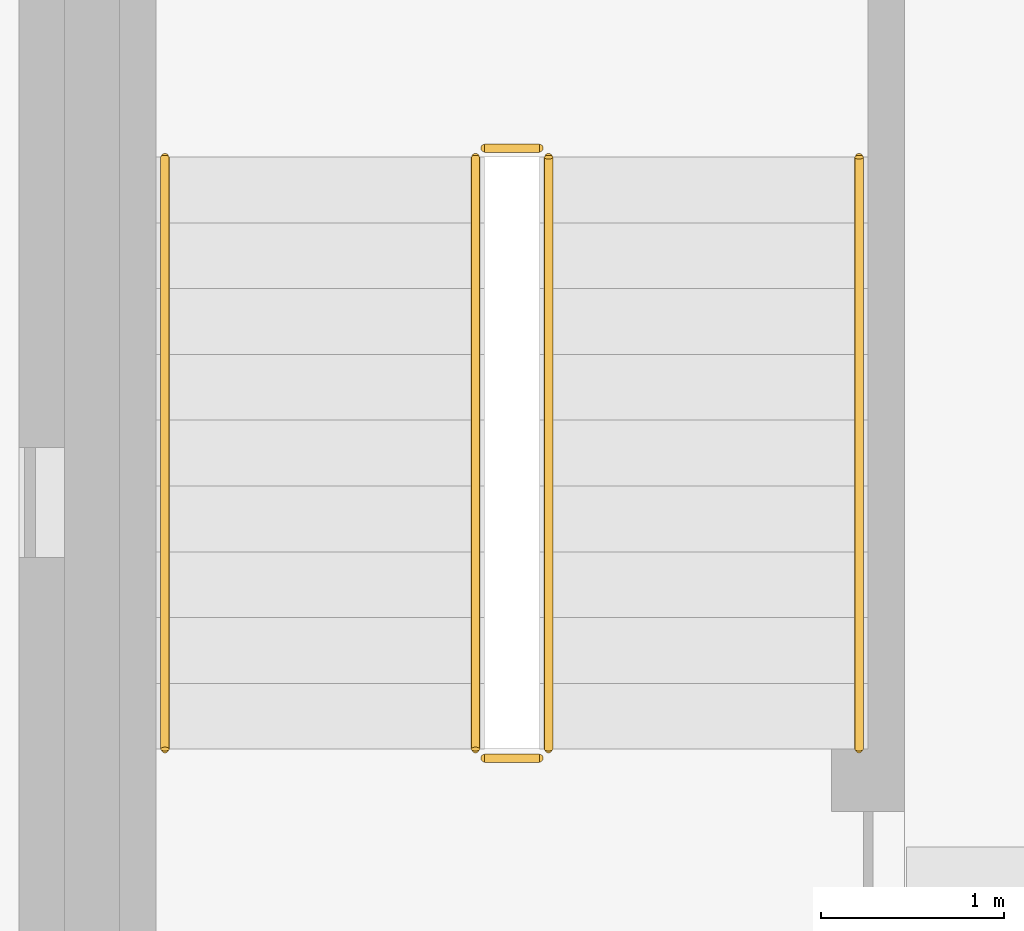
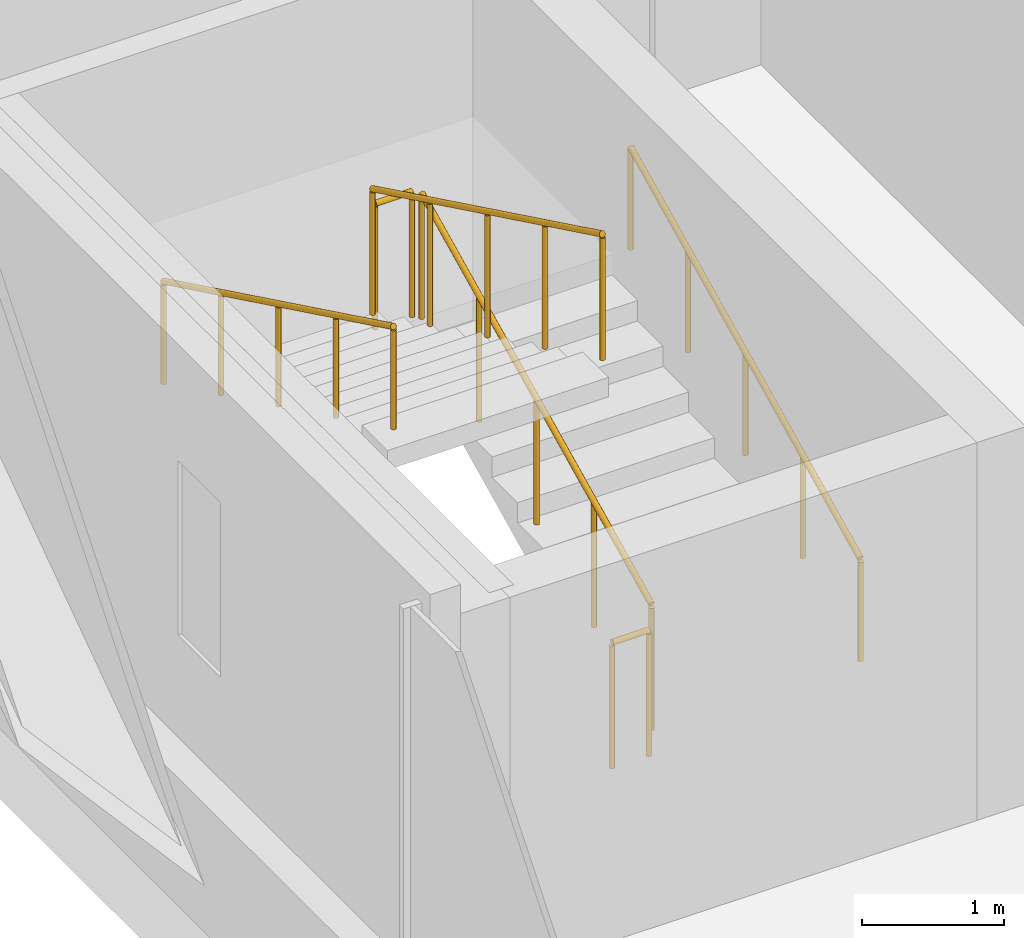
# One storey, part 18 of 22: 6 railings.
"""IFC4 building model written with IfcOpenShell, lengths in metres."""

from ifc_helpers import new_model, si_unit, direction, frame, origin, origin_2d, place, context, subcontext, project, spatial, circle, extrude, material, type_object, element, save


model = new_model("IFC4")

# Units and contexts
model_context = context("Model", 3, precision=1e-05, world=origin(), true_north=direction((0.0, 1.0)))
body_context = subcontext(model_context, "Body", "Model", "MODEL_VIEW")
ifc_project = project(units=[si_unit("LENGTHUNIT", "METRE"), si_unit("AREAUNIT", "SQUARE_METRE"), si_unit("VOLUMEUNIT", "CUBIC_METRE"), si_unit("PLANEANGLEUNIT", "RADIAN"), si_unit("MASSUNIT", "GRAM", prefix="KILO")], contexts=[model_context])

# Site, building, storey
site_placement = place(None, origin())
site = spatial("IfcSite", under=ifc_project, at=site_placement, CompositionType="ELEMENT")
building_placement = place(site_placement, origin())
building = spatial("IfcBuilding", under=site, at=building_placement, Name="Cobrizo Arcos Hotel Tower", CompositionType="ELEMENT")
storey_placement = place(building_placement, frame((0.0, 0.0, 191.0)))
storey = spatial("IfcBuildingStorey", under=building, at=storey_placement, Name="L49", CompositionType="ELEMENT", Elevation=191.0)

# Railings
ifc_material = material(Name="Stainless steel railing", Category="steel")
railing_type_1 = type_object("IfcRailingType", Name="Stair guard 1100", PredefinedType="GUARDRAIL", material=ifc_material)
railing_1_placement = place(storey_placement, frame((-17.75, -8.89990234375, 0.175048828125)))
element("IfcRailing", 1, at=railing_1_placement, inside=storey, type_object=railing_type_1, Name="L49 ST-W stair guard 1", PredefinedType="GUARDRAIL", context=body_context, shape_type="SweptSolid", body=[
    extrude(circle(Radius=0.02392578125, at=origin_2d()), frame((0.0, 0.0, 1.076171875), z_axis=(0.0, 0.899372665325, 0.437182809435), x_axis=(-1.0, 0.0, 0.0)), (0.0, 0.0, 1.0), 3.6025390625),
    extrude(circle(Radius=0.02099609375, at=origin_2d()), origin(), (0.0, 0.0, 1.0), 1.052001953125),
    extrude(circle(Radius=0.02099609375, at=origin_2d()), frame((0.0, 0.81005859375, 0.393798828125)), (0.0, 0.0, 1.0), 1.052001953125),
    extrude(circle(Radius=0.02099609375, at=origin_2d()), frame((0.0, 1.6201171875, 0.78759765625)), (0.0, 0.0, 1.0), 1.052001953125),
    extrude(circle(Radius=0.02099609375, at=origin_2d()), frame((0.0, 2.429931640625, 1.18115234375)), (0.0, 0.0, 1.0), 1.052001953125),
    extrude(circle(Radius=0.02099609375, at=origin_2d()), frame((0.0, 3.239990234375, 1.574951171875)), (0.0, 0.0, 1.0), 1.052001953125),
])
railing_2_placement = place(storey_placement, frame((-17.800048828125, -5.610107421875, 1.75)))
element("IfcRailing", 2, at=railing_2_placement, inside=storey, type_object=railing_type_1, Name="L49 ST-W stair guard 2", PredefinedType="GUARDRAIL", context=body_context, shape_type="SweptSolid", body=[
    extrude(circle(Radius=0.02392578125, at=origin_2d()), frame((0.0, 0.0, 1.076171875), z_axis=(-1.0, 0.0, 0.0), x_axis=(0.0, -1.0, 0.0)), (0.0, 0.0, 1.0), 0.300048828125),
    extrude(circle(Radius=0.02099609375, at=origin_2d()), origin(), (0.0, 0.0, 1.0), 1.052001953125),
    extrude(circle(Radius=0.02099609375, at=origin_2d()), frame((-0.300048828125, 0.0, 0.0)), (0.0, 0.0, 1.0), 1.052001953125),
])
railing_3_placement = place(storey_placement, frame((-18.14990234375, -5.659912109375, 1.925048828125)))
element("IfcRailing", 3, at=railing_3_placement, inside=storey, type_object=railing_type_1, Name="L49 ST-W stair guard 3", PredefinedType="GUARDRAIL", context=body_context, shape_type="SweptSolid", body=[
    extrude(circle(Radius=0.02392578125, at=origin_2d()), frame((0.0, 0.0, 1.076171875), z_axis=(0.0, -0.899372665325, 0.437182809435), x_axis=(1.0, 0.0, 0.0)), (0.0, 0.0, 1.0), 3.6025390625),
    extrude(circle(Radius=0.02099609375, at=origin_2d()), origin(), (0.0, 0.0, 1.0), 1.052001953125),
    extrude(circle(Radius=0.02099609375, at=origin_2d()), frame((0.0, -0.81005859375, 0.393798828125)), (0.0, 0.0, 1.0), 1.052001953125),
    extrude(circle(Radius=0.02099609375, at=origin_2d()), frame((0.0, -1.6201171875, 0.78759765625)), (0.0, 0.0, 1.0), 1.052001953125),
    extrude(circle(Radius=0.02099609375, at=origin_2d()), frame((0.0, -2.429931640625, 1.18115234375)), (0.0, 0.0, 1.0), 1.052001953125),
    extrude(circle(Radius=0.02099609375, at=origin_2d()), frame((0.0, -3.239990234375, 1.574951171875)), (0.0, 0.0, 1.0), 1.052001953125),
])
railing_4_placement = place(storey_placement, frame((-17.800048828125, -8.949951171875, 0.0)))
element("IfcRailing", 4, at=railing_4_placement, inside=storey, type_object=railing_type_1, Name="L49 ST-W stair guard 4", PredefinedType="GUARDRAIL", context=body_context, shape_type="SweptSolid", body=[
    extrude(circle(Radius=0.02392578125, at=origin_2d()), frame((0.0, 0.0, 1.076171875), z_axis=(-1.0, 0.0, 0.0), x_axis=(0.0, -1.0, 0.0)), (0.0, 0.0, 1.0), 0.300048828125),
    extrude(circle(Radius=0.02099609375, at=origin_2d()), origin(), (0.0, 0.0, 1.0), 1.052001953125),
    extrude(circle(Radius=0.02099609375, at=origin_2d()), frame((-0.300048828125, 0.0, 0.0)), (0.0, 0.0, 1.0), 1.052001953125),
])
railing_type_2 = type_object("IfcRailingType", Name="Stair handrail", PredefinedType="HANDRAIL", material=ifc_material)
railing_5_placement = place(storey_placement, frame((-16.050048828125, -8.89990234375, 0.175048828125)))
element("IfcRailing", 5, at=railing_5_placement, inside=storey, type_object=railing_type_2, Name="L49 ST-W stair handrail 1", PredefinedType="HANDRAIL", context=body_context, shape_type="SweptSolid", body=[
    extrude(circle(Radius=0.02392578125, at=origin_2d()), frame((0.0, 0.0, 0.8759765625), z_axis=(0.0, 0.899372665325, 0.437182809435), x_axis=(-1.0, 0.0, 0.0)), (0.0, 0.0, 1.0), 3.6025390625),
    extrude(circle(Radius=0.02099609375, at=origin_2d()), origin(), (0.0, 0.0, 1.0), 0.851806640625),
    extrude(circle(Radius=0.02099609375, at=origin_2d()), frame((0.0, 0.81005859375, 0.393798828125)), (0.0, 0.0, 1.0), 0.851806640625),
    extrude(circle(Radius=0.02099609375, at=origin_2d()), frame((0.0, 1.6201171875, 0.78759765625)), (0.0, 0.0, 1.0), 0.851806640625),
    extrude(circle(Radius=0.02099609375, at=origin_2d()), frame((0.0, 2.429931640625, 1.18115234375)), (0.0, 0.0, 1.0), 0.851806640625),
    extrude(circle(Radius=0.02099609375, at=origin_2d()), frame((0.0, 3.239990234375, 1.574951171875)), (0.0, 0.0, 1.0), 0.851806640625),
])
railing_6_placement = place(storey_placement, frame((-19.85009765625, -5.659912109375, 1.925048828125)))
element("IfcRailing", 6, at=railing_6_placement, inside=storey, type_object=railing_type_2, Name="L49 ST-W stair handrail 2", PredefinedType="HANDRAIL", context=body_context, shape_type="SweptSolid", body=[
    extrude(circle(Radius=0.02392578125, at=origin_2d()), frame((0.0, 0.0, 0.8759765625), z_axis=(0.0, -0.899372665325, 0.437182809435), x_axis=(1.0, 0.0, 0.0)), (0.0, 0.0, 1.0), 3.6025390625),
    extrude(circle(Radius=0.02099609375, at=origin_2d()), origin(), (0.0, 0.0, 1.0), 0.851806640625),
    extrude(circle(Radius=0.02099609375, at=origin_2d()), frame((0.0, -0.81005859375, 0.393798828125)), (0.0, 0.0, 1.0), 0.851806640625),
    extrude(circle(Radius=0.02099609375, at=origin_2d()), frame((0.0, -1.6201171875, 0.78759765625)), (0.0, 0.0, 1.0), 0.851806640625),
    extrude(circle(Radius=0.02099609375, at=origin_2d()), frame((0.0, -2.429931640625, 1.18115234375)), (0.0, 0.0, 1.0), 0.851806640625),
    extrude(circle(Radius=0.02099609375, at=origin_2d()), frame((0.0, -3.239990234375, 1.574951171875)), (0.0, 0.0, 1.0), 0.851806640625),
])

save(model, "model.ifc")
